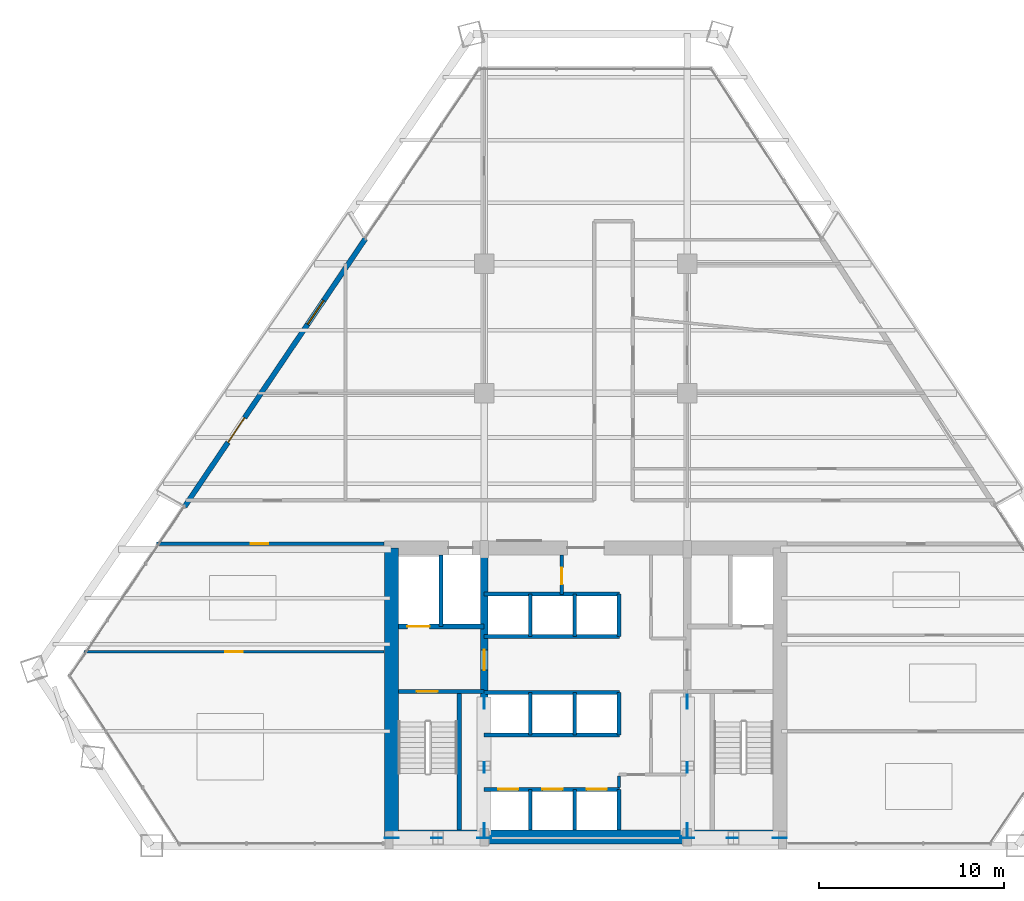
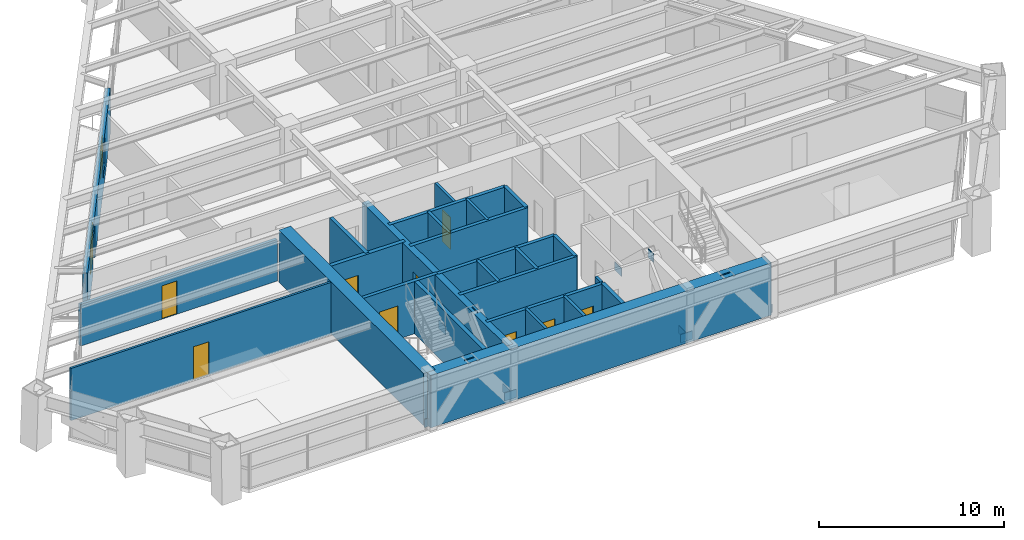
# One storey, part 10 of 14: 26 walls, 12 plates, 10 doors, 1 window, 11 openings.
"""IFC4 building model written with IfcOpenShell, lengths in metres."""

from ifc_helpers import new_model, si_unit, direction, frame, frame_2d, origin, origin_2d, place, context, subcontext, project, spatial, rectangle, extrude, source, transform, mapped, material, layer, layer_set, type_object, type_shapes, element, fill, save


model = new_model("IFC4")

# Units and contexts
model_context = context("Model", 3, precision=1e-05, world=origin(), true_north=direction((0.0, 1.0)))
body_context = subcontext(model_context, "Body", "Model", "MODEL_VIEW")
ifc_project = project(units=[si_unit("LENGTHUNIT", "METRE"), si_unit("AREAUNIT", "SQUARE_METRE"), si_unit("VOLUMEUNIT", "CUBIC_METRE"), si_unit("PLANEANGLEUNIT", "RADIAN"), si_unit("MASSUNIT", "GRAM", prefix="KILO")], contexts=[model_context])

# Site, building, storey
site_placement = place(None, origin())
site = spatial("IfcSite", under=ifc_project, at=site_placement, CompositionType="ELEMENT")
building_placement = place(site_placement, origin())
building = spatial("IfcBuilding", under=site, at=building_placement, Name="Varnakhor Terracotta Tower", CompositionType="ELEMENT")
storey_placement = place(building_placement, frame((0.0, 0.0, 87.699951171875)))
storey = spatial("IfcBuildingStorey", under=building, at=storey_placement, Name="L21", CompositionType="ELEMENT", Elevation=87.699951171875)

# Plates
ifc_material_1 = material(Name="Steel S460", Category="steel")
ifc_layer_1 = layer(ifc_material_1, 0.050048828125, Name="Steel S460")
ifc_layer_set_1 = layer_set([ifc_layer_1], Name="Steel S460")
plate_type = type_object("IfcPlateType", Name="PLT-GUSSET-50", PredefinedType="USERDEFINED", material=ifc_layer_set_1)
shared_shape_1 = source(origin(), body_context, "Body", "SweptSolid", [
    extrude(rectangle(XDim=0.75, YDim=0.0400390625, at=origin_2d()), origin(), (0.0, 0.0, 1.0), 0.550048828125),
])
type_shapes(plate_type, [shared_shape_1])
for number, where, z_axis, x_axis, name in (
    (1, (-10.5, 0.419921875, -0.09521484375), (0.0, 0.0, 1.0), (1.0, 0.0, 0.0), "L21 Core Brace Embed Plate CSWA"),
    (2, (-5.5, 0.419921875, -0.09521484375), (0.0, 0.0, 1.0), (1.0, 0.0, 0.0), "L21 Core Brace Embed Plate CSWB"),
    (3, (5.5, 0.419921875, -0.09521484375), (0.0, 0.0, 1.0), (1.0, 0.0, 0.0), "L21 Core Brace Embed Plate CSEA"),
    (4, (10.5, 0.419921875, -0.09521484375), (0.0, 0.0, 1.0), (1.0, 0.0, 0.0), "L21 Core Brace Embed Plate CSEB"),
    (5, (-5.5, 0.85009765625, -0.09521484375), (0.0, 0.0, 1.0), (0.0, 1.0, 0.0), "L21 Core Brace Embed Plate CWWA"),
    (6, (-5.5, 7.800048828125, -0.09521484375), (0.0, 0.0, 1.0), (0.0, 1.0, 0.0), "L21 Core Brace Embed Plate CWWB"),
    (7, (5.5, 0.85009765625, -0.09521484375), (0.0, 0.0, 1.0), (0.0, 1.0, 0.0), "L21 Core Brace Embed Plate CWEA"),
    (8, (5.5, 7.800048828125, -0.09521484375), (0.0, 0.0, 1.0), (0.0, 1.0, 0.0), "L21 Core Brace Embed Plate CWEB"),
):
    element("IfcPlate", number, at=place(storey_placement, frame(where, z_axis=z_axis, x_axis=x_axis)), inside=storey, type_object=plate_type, Name=name, ObjectType="GUSSET PLATE", PredefinedType="USERDEFINED", context=body_context, shape_type="MappedRepresentation", body=[
        mapped(shared_shape_1, transform((0.0, 0.0, 0.0), scale=1.0)),
    ])
shared_shape_2 = source(origin(), body_context, "Body", "SweptSolid", [
    extrude(rectangle(XDim=0.580078125, YDim=0.0400390625, at=origin_2d()), origin(), (0.0, 0.0, 1.0), 0.580078125),
])
for number, where, z_axis, x_axis, name in (
    (9, (-8.072509765625, 0.419921875, 2.914306640625), (0.0, 0.0, 1.0), (1.0, 0.0, 0.0), "L21 Brace End Connection Plate 92"),
    (10, (7.927490234375, 0.419921875, 2.914306640625), (0.0, 0.0, 1.0), (1.0, 0.0, 0.0), "L21 Brace End Connection Plate 93"),
    (11, (-5.5, 4.238037109375, 2.927490234375), (0.0, 0.0, 1.0), (0.0, 1.0, 0.0), "L21 Brace End Connection Plate 94"),
    (12, (5.5, 4.238037109375, 2.927490234375), (0.0, 0.0, 1.0), (0.0, 1.0, 0.0), "L21 Brace End Connection Plate 95"),
):
    element("IfcPlate", number, at=place(storey_placement, frame(where, z_axis=z_axis, x_axis=x_axis)), inside=storey, type_object=plate_type, Name=name, ObjectType="GUSSET PLATE", PredefinedType="USERDEFINED", context=body_context, shape_type="MappedRepresentation", body=[
        mapped(shared_shape_2, transform((0.0, 0.0, 0.0), scale=1.0)),
    ])

# Walls
ifc_material_2 = material(Name="Concrete C60/75", Category="concrete")
ifc_layer_2 = layer(ifc_material_2, 0.75, Name="Concrete C60/75")
ifc_layer_set_2 = layer_set([ifc_layer_2], Name="Concrete C60/75")
wall_type_1 = type_object("IfcWallType", Name="WAL-CORE-750", PredefinedType="SHEAR", material=ifc_layer_set_2)
wall_1_placement = place(storey_placement, frame((-10.64990234375, 0.47509765625, 0.0), z_axis=(0.0, 0.0, 1.0), x_axis=(1.0, 0.0, 0.0)))
element("IfcWall", 13, at=wall_1_placement, inside=storey, type_object=wall_type_1, Name="L21 South Core Shear Wall", PredefinedType="SHEAR", context=body_context, shape_type="SweptSolid", body=[
    extrude(rectangle(XDim=21.2998046875, YDim=0.75, at=frame_2d((10.64990234375, 0.0))), origin(), (0.0, 0.0, 1.0), 3.449951171875),
])
wall_2_placement = place(storey_placement, frame((-10.52490234375, 0.47509765625, 0.0), z_axis=(0.0, 0.0, 1.0), x_axis=(0.0, 1.0, 0.0)))
element("IfcWall", 14, at=wall_2_placement, inside=storey, type_object=wall_type_1, Name="L21 West Core Shear Wall", PredefinedType="SHEAR", context=body_context, shape_type="SweptSolid", body=[
    extrude(rectangle(XDim=15.64990234375, YDim=0.75, at=frame_2d((7.824951171875, 0.0))), origin(), (0.0, 0.0, 1.0), 3.449951171875),
])

# Wall, opening, door
ifc_material_3 = material(Name="Concrete C50/60", Category="concrete")
ifc_layer_3 = layer(ifc_material_3, 0.39990234375, Name="Concrete C50/60")
ifc_layer_set_3 = layer_set([ifc_layer_3], Name="Concrete C50/60")
wall_type_2 = type_object("IfcWallType", Name="WAL-CORE-WEB-400", PredefinedType="SHEAR", material=ifc_layer_set_3)
wall_3_placement = place(storey_placement, frame((-5.5, 0.47509765625, 0.0), z_axis=(0.0, 0.0, 1.0), x_axis=(0.0, 1.0, 0.0)))
wall_3 = element("IfcWall", 15, at=wall_3_placement, inside=storey, type_object=wall_type_2, Name="L21 West Core Web Shear Wall", PredefinedType="SHEAR", context=body_context, shape_type="SweptSolid", body=[
    extrude(rectangle(XDim=15.64990234375, YDim=0.39990234375, at=frame_2d((7.824951171875, 0.0))), origin(), (0.0, 0.0, 1.0), 3.449951171875),
])
opening_1_placement = place(wall_3_placement, frame((9.02490234375, 0.0, 0.0)))
opening_1 = element("IfcOpeningElement", 16, at=opening_1_placement, cuts=wall_3, Name="Opening DR-25", PredefinedType="OPENING", context=body_context, shape_type="SweptSolid", body=[
    extrude(rectangle(XDim=1.10009765625, YDim=2.199951171875, at=frame_2d((0.550048828125, 1.10009765625))), frame((0.0, 0.2099609375, 0.0), z_axis=(0.0, -1.0, 0.0), x_axis=(1.0, 0.0, 0.0)), (0.0, 0.0, 1.0), 0.419921875),
])
ifc_material_4 = material(Name="Firefighting Lobby Self-Closing Fire Door", Category="steel")
door_type_1 = type_object("IfcDoorType", Name="DR-FFL-1100X2200", OperationType="NOTDEFINED", PredefinedType="DOOR", material=ifc_material_4)
shared_shape_3 = source(origin(), body_context, "Body", "SweptSolid", [
    extrude(rectangle(XDim=1.10009765625, YDim=2.199951171875, at=frame_2d((0.550048828125, 1.10009765625))), frame((0.0, 0.02490234375, 0.0), z_axis=(0.0, -1.0, 0.0), x_axis=(1.0, 0.0, 0.0)), (0.0, 0.0, 1.0), 0.050048828125),
])
type_shapes(door_type_1, [shared_shape_3])
door_1_placement = place(opening_1_placement, origin())
door_1 = element("IfcDoor", 17, at=door_1_placement, inside=storey, type_object=door_type_1, Name="L21 West Firefighting Lobby Door", OperationType="SINGLE_SWING_LEFT", OverallHeight=2.199951171875, OverallWidth=1.10009765625, PredefinedType="DOOR", context=body_context, shape_type="MappedRepresentation", body=[
    mapped(shared_shape_3, transform((0.0, 0.0, 0.0), scale=1.0)),
])
fill(opening_1, door_1)

ifc_material_5 = material(Name="Fire-Rated Gypsum Stud Partition", Category="gypsum")
ifc_layer_4 = layer(ifc_material_5, 0.18505859375, Name="Fire-Rated Gypsum Stud Partition")
ifc_layer_set_4 = layer_set([ifc_layer_4], Name="Fire-Rated Gypsum Stud Partition")
wall_type_3 = type_object("IfcWallType", Name="WAL-CORR-185", PredefinedType="PARTITIONING", material=ifc_layer_set_4)
wall_4_placement = place(storey_placement, frame((-23.2294921875, 16.35009765625, 0.0), z_axis=(0.0, 0.0, 1.0), x_axis=(1.0, 0.0, 0.0)))
wall_4 = element("IfcWall", 18, at=wall_4_placement, inside=storey, type_object=wall_type_3, Name="L21 South West Corridor Wall", PredefinedType="PARTITIONING", context=body_context, shape_type="SweptSolid", body=[
    extrude(rectangle(XDim=12.3095703125, YDim=0.18505859375, at=frame_2d((6.15478515625, 0.0))), origin(), (0.0, 0.0, 1.0), 2.7470703125),
])
opening_2_placement = place(wall_4_placement, frame((5.09814453125, 0.0, 0.0)))
opening_2 = element("IfcOpeningElement", 19, at=opening_2_placement, cuts=wall_4, Name="Opening DR-94", PredefinedType="OPENING", context=body_context, shape_type="SweptSolid", body=[
    extrude(rectangle(XDim=0.949951171875, YDim=2.199951171875, at=frame_2d((0.47509765625, 1.10009765625))), frame((0.0, 0.1025390625, 0.0), z_axis=(0.0, -1.0, 0.0), x_axis=(1.0, 0.0, 0.0)), (0.0, 0.0, 1.0), 0.205078125),
])
ifc_material_6 = material(Name="Acoustic Glazed-Vision Timber Office Door", Category="wood")
door_type_2 = type_object("IfcDoorType", Name="DR-OFF-950X2200", OperationType="NOTDEFINED", PredefinedType="DOOR", material=ifc_material_6)
shared_shape_4 = source(origin(), body_context, "Body", "SweptSolid", [
    extrude(rectangle(XDim=0.949951171875, YDim=2.199951171875, at=frame_2d((0.47509765625, 1.10009765625))), frame((0.0, 0.02490234375, 0.0), z_axis=(0.0, -1.0, 0.0), x_axis=(1.0, 0.0, 0.0)), (0.0, 0.0, 1.0), 0.050048828125),
])
type_shapes(door_type_2, [shared_shape_4])
door_2_placement = place(opening_2_placement, origin())
door_2 = element("IfcDoor", 20, at=door_2_placement, inside=storey, type_object=door_type_2, Name="L21 SW Suite Door", OperationType="SINGLE_SWING_RIGHT", OverallHeight=2.199951171875, OverallWidth=0.949951171875, PredefinedType="DOOR", context=body_context, shape_type="MappedRepresentation", body=[
    mapped(shared_shape_4, transform((0.0, 0.0, 0.0), scale=1.0)),
])
fill(opening_2, door_2)

# Wall, openings, door, window
ifc_material_7 = material(Name="Extruded Architectural Terracotta Assembly", Category="masonry")
ifc_layer_5 = layer(ifc_material_7, 0.280029296875, Name="Extruded Architectural Terracotta Assembly")
ifc_layer_set_5 = layer_set([ifc_layer_5], Name="Extruded Architectural Terracotta Assembly")
wall_type_4 = type_object("IfcWallType", Name="WAL-EXT-TERRACOTTA-280", PredefinedType="SOLIDWALL", material=ifc_layer_set_5)
wall_5_placement = place(storey_placement, frame((-21.716796875, 18.359130859375, 0.0), z_axis=(0.0, 0.0, 1.0), x_axis=(0.559343000378, 0.828936311141, 0.0)))
wall_5 = element("IfcWall", 21, at=wall_5_placement, inside=storey, type_object=wall_type_4, Name="L21 W Loggia Insulated Terracotta Wall", PredefinedType="SOLIDWALL", context=body_context, shape_type="SweptSolid", body=[
    extrude(rectangle(XDim=17.502197265625, YDim=0.280029296875, at=frame_2d((8.7509765625, 0.0))), origin(), (0.0, 0.0, 1.0), 3.030029296875),
])
opening_3_placement = place(wall_5_placement, frame((4.20068359375, 0.0, 0.0)))
opening_3 = element("IfcOpeningElement", 22, at=opening_3_placement, cuts=wall_5, Name="Opening DR-62", PredefinedType="OPENING", context=body_context, shape_type="SweptSolid", body=[
    extrude(rectangle(XDim=1.60009765625, YDim=2.35009765625, at=frame_2d((0.800048828125, 1.175048828125))), frame((0.0, 0.14990234375, 0.0), z_axis=(0.0, -1.0, 0.0), x_axis=(1.0, 0.0, 0.0)), (0.0, 0.0, 1.0), 0.300048828125),
])
opening_4_placement = place(wall_5_placement, frame((11.901611328125, 0.0, 0.89990234375)))
opening_4 = element("IfcOpeningElement", 23, at=opening_4_placement, cuts=wall_5, Name="Opening WN-57", PredefinedType="OPENING", context=body_context, shape_type="SweptSolid", body=[
    extrude(rectangle(XDim=1.550048828125, YDim=1.85009765625, at=frame_2d((0.77490234375, 0.925048828125))), frame((0.0, 0.14990234375, 0.0), z_axis=(0.0, -1.0, 0.0), x_axis=(1.0, 0.0, 0.0)), (0.0, 0.0, 1.0), 0.300048828125),
])
ifc_material_8 = material(Name="Thermally Broken Sliding Glass Loggia Door", Category="glass")
door_type_3 = type_object("IfcDoorType", Name="DR-EXT-LOGGIA-1600X2350", OperationType="NOTDEFINED", PredefinedType="DOOR", material=ifc_material_8)
shared_shape_5 = source(origin(), body_context, "Body", "SweptSolid", [
    extrude(rectangle(XDim=1.60009765625, YDim=2.35009765625, at=frame_2d((0.800048828125, 1.175048828125))), frame((0.0, 0.02490234375, 0.0), z_axis=(0.0, -1.0, 0.0), x_axis=(1.0, 0.0, 0.0)), (0.0, 0.0, 1.0), 0.050048828125),
])
type_shapes(door_type_3, [shared_shape_5])
door_3_placement = place(opening_3_placement, origin())
door_3 = element("IfcDoor", 24, at=door_3_placement, inside=storey, type_object=door_type_3, Name="L21 W Recessed Loggia Sliding Door", OperationType="SLIDING_TO_LEFT", OverallHeight=2.35009765625, OverallWidth=1.60009765625, PredefinedType="DOOR", context=body_context, shape_type="MappedRepresentation", body=[
    mapped(shared_shape_5, transform((0.0, 0.0, 0.0), scale=1.0)),
])
fill(opening_3, door_3)
ifc_material_9 = material(Name="Solar-Control Low-E Insulated Glass Unit", Category="glass")
window_type = type_object("IfcWindowType", Name="WIN-OFF-1650X2100", PartitioningType="SINGLE_PANEL", PredefinedType="WINDOW", material=ifc_material_9)
shared_shape_6 = source(origin(), body_context, "Body", "SweptSolid", [
    extrude(rectangle(XDim=1.550048828125, YDim=1.85009765625, at=frame_2d((0.77490234375, 0.925048828125))), frame((0.0, 0.030029296875, 0.0), z_axis=(0.0, -1.0, 0.0), x_axis=(1.0, 0.0, 0.0)), (0.0, 0.0, 1.0), 0.06005859375),
])
type_shapes(window_type, [shared_shape_6])
window_placement = place(opening_4_placement, origin())
window = element("IfcWindow", 25, at=window_placement, inside=storey, type_object=window_type, Name="L21 W Facet Punched Window", OverallHeight=1.85009765625, OverallWidth=1.550048828125, PartitioningType="SINGLE_PANEL", PredefinedType="WINDOW", context=body_context, shape_type="MappedRepresentation", body=[
    mapped(shared_shape_6, transform((0.0, 0.0, 0.0), scale=1.0)),
])
fill(opening_4, window)

# Wall, opening, door
ifc_material_10 = material(Name="Concrete C40/50", Category="concrete")
ifc_layer_6 = layer(ifc_material_10, 0.219970703125, Name="Concrete C40/50")
ifc_layer_set_6 = layer_set([ifc_layer_6], Name="Concrete C40/50")
wall_type_5 = type_object("IfcWallType", Name="WAL-FFLOBBY-220", PredefinedType="SOLIDWALL", material=ifc_layer_set_6)
wall_6_placement = place(storey_placement, frame((-5.5, 8.35009765625, 0.0), z_axis=(0.0, 0.0, 1.0), x_axis=(-1.0, 0.0, 0.0)))
wall_6 = element("IfcWall", 26, at=wall_6_placement, inside=storey, type_object=wall_type_5, Name="L21 West Firefighting Lobby Stair Wall", PredefinedType="SOLIDWALL", context=body_context, shape_type="SweptSolid", body=[
    extrude(rectangle(XDim=4.64990234375, YDim=0.219970703125, at=frame_2d((2.324951171875, 0.0))), origin(), (0.0, 0.0, 1.0), 3.449951171875),
])
opening_5_placement = place(wall_6_placement, frame((2.5, 0.0, 0.0)))
opening_5 = element("IfcOpeningElement", 27, at=opening_5_placement, cuts=wall_6, Name="Opening DR-34", PredefinedType="OPENING", context=body_context, shape_type="SweptSolid", body=[
    extrude(rectangle(XDim=1.14990234375, YDim=2.199951171875, at=frame_2d((0.574951171875, 1.10009765625))), frame((0.0, 0.1201171875, 0.0), z_axis=(0.0, -1.0, 0.0), x_axis=(1.0, 0.0, 0.0)), (0.0, 0.0, 1.0), 0.239990234375),
])
ifc_material_11 = material(Name="Self-Closing Smoke-Sealed Steel Fire Door", Category="steel")
door_type_4 = type_object("IfcDoorType", Name="DR-STAIR-1150X2200", OperationType="NOTDEFINED", PredefinedType="DOOR", material=ifc_material_11)
shared_shape_7 = source(origin(), body_context, "Body", "SweptSolid", [
    extrude(rectangle(XDim=1.14990234375, YDim=2.199951171875, at=frame_2d((0.574951171875, 1.10009765625))), frame((0.0, 0.02490234375, 0.0), z_axis=(0.0, -1.0, 0.0), x_axis=(1.0, 0.0, 0.0)), (0.0, 0.0, 1.0), 0.050048828125),
])
type_shapes(door_type_4, [shared_shape_7])
door_4_placement = place(opening_5_placement, origin())
door_4 = element("IfcDoor", 28, at=door_4_placement, inside=storey, type_object=door_type_4, Name="L21 Exit Stair ST-1 Fire Door", OperationType="SINGLE_SWING_RIGHT", OverallHeight=2.199951171875, OverallWidth=1.14990234375, PredefinedType="DOOR", context=body_context, shape_type="MappedRepresentation", body=[
    mapped(shared_shape_7, transform((0.0, 0.0, 0.0), scale=1.0)),
])
fill(opening_5, door_4)

ifc_material_12 = material(Name="Acoustic Metal-Stud Partition", Category="gypsum")
ifc_layer_7 = layer(ifc_material_12, 0.139892578125, Name="Acoustic Metal-Stud Partition")
ifc_layer_set_7 = layer_set([ifc_layer_7], Name="Acoustic Metal-Stud Partition")
wall_type_6 = type_object("IfcWallType", Name="WAL-PART-140", PredefinedType="PARTITIONING", material=ifc_layer_set_7)
wall_7_placement = place(storey_placement, frame((-27.1767578125, 10.5, 0.0), z_axis=(0.0, 0.0, 1.0), x_axis=(1.0, 0.0, 0.0)))
wall_7 = element("IfcWall", 29, at=wall_7_placement, inside=storey, type_object=wall_type_6, Name="L21 South West Cut 1", PredefinedType="PARTITIONING", context=body_context, shape_type="SweptSolid", body=[
    extrude(rectangle(XDim=16.2568359375, YDim=0.139892578125, at=frame_2d((8.12841796875, 0.0))), origin(), (0.0, 0.0, 1.0), 3.442138671875),
])
opening_6_placement = place(wall_7_placement, frame((7.66552734375, 0.0, 0.0)))
opening_6 = element("IfcOpeningElement", 30, at=opening_6_placement, cuts=wall_7, Name="Opening DR-94", PredefinedType="OPENING", context=body_context, shape_type="SweptSolid", body=[
    extrude(rectangle(XDim=0.949951171875, YDim=2.199951171875, at=frame_2d((0.47509765625, 1.10009765625))), frame((0.0, 0.080078125, 0.0), z_axis=(0.0, -1.0, 0.0), x_axis=(1.0, 0.0, 0.0)), (0.0, 0.0, 1.0), 0.159912109375),
])
door_5_placement = place(opening_6_placement, origin())
door_5 = element("IfcDoor", 31, at=door_5_placement, inside=storey, type_object=door_type_2, Name="L21 South West Executive Office Door", OperationType="SINGLE_SWING_RIGHT", OverallHeight=2.199951171875, OverallWidth=0.949951171875, PredefinedType="DOOR", context=body_context, shape_type="MappedRepresentation", body=[
    mapped(shared_shape_4, transform((0.0, 0.0, 0.0), scale=1.0)),
])
fill(opening_6, door_5)

# Walls
ifc_layer_8 = layer(ifc_material_10, 0.179931640625, Name="Concrete C40/50")
ifc_layer_set_8 = layer_set([ifc_layer_8], Name="Concrete C40/50")
wall_type_7 = type_object("IfcWallType", Name="WAL-SHAFT-180", PredefinedType="SOLIDWALL", material=ifc_layer_set_8)
for number, where, z_axis, x_axis, name in (
    (32, (-3.0, 0.85009765625, 0.0), (0.0, 0.0, 1.0), (0.0, 1.0, 0.0), "L21 PL-1A Divider"),
    (33, (-0.60009765625, 0.85009765625, 0.0), (0.0, 0.0, 1.0), (0.0, 1.0, 0.0), "L21 PL-1B Divider"),
):
    element("IfcWall", number, at=place(storey_placement, frame(where, z_axis=z_axis, x_axis=x_axis)), inside=storey, type_object=wall_type_7, Name=name, PredefinedType="SOLIDWALL", context=body_context, shape_type="SweptSolid", body=[
        extrude(rectangle(XDim=2.199951171875, YDim=0.179931640625, at=frame_2d((1.10009765625, 0.0))), origin(), (0.0, 0.0, 1.0), 3.449951171875),
    ])
for number, where, z_axis, x_axis, name in (
    (34, (-3.0, 6.0, 0.0), (0.0, 0.0, 1.0), (0.0, 1.0, 0.0), "L21 PL-2A Divider"),
    (35, (-0.60009765625, 6.0, 0.0), (0.0, 0.0, 1.0), (0.0, 1.0, 0.0), "L21 PL-2B Divider"),
    (36, (-3.0, 11.320068359375, 0.0), (0.0, 0.0, 1.0), (0.0, 1.0, 0.0), "L21 PL-3A Divider"),
    (37, (-0.60009765625, 11.320068359375, 0.0), (0.0, 0.0, 1.0), (0.0, 1.0, 0.0), "L21 PL-3B Divider"),
):
    element("IfcWall", number, at=place(storey_placement, frame(where, z_axis=z_axis, x_axis=x_axis)), inside=storey, type_object=wall_type_7, Name=name, PredefinedType="SOLIDWALL", context=body_context, shape_type="SweptSolid", body=[
        extrude(rectangle(XDim=2.300048828125, YDim=0.179931640625, at=frame_2d((1.14990234375, 0.0))), origin(), (0.0, 0.0, 1.0), 3.449951171875),
    ])
ifc_layer_9 = layer(ifc_material_10, 0.219970703125, Name="Concrete C40/50")
ifc_layer_set_9 = layer_set([ifc_layer_9], Name="Concrete C40/50")
wall_type_8 = type_object("IfcWallType", Name="WAL-SHAFT-220", PredefinedType="SOLIDWALL", material=ifc_layer_set_9)
wall_8_placement = place(storey_placement, frame((-7.840087890625, 11.8701171875, 0.0), z_axis=(0.0, 0.0, 1.0), x_axis=(0.0, 1.0, 0.0)))
element("IfcWall", 38, at=wall_8_placement, inside=storey, type_object=wall_type_8, Name="L21 Lift FFL-1 and SVL-1 Divider Wall", PredefinedType="SOLIDWALL", context=body_context, shape_type="SweptSolid", body=[
    extrude(rectangle(XDim=3.8798828125, YDim=0.219970703125, at=frame_2d((1.93994140625, 0.0))), origin(), (0.0, 0.0, 1.0), 3.449951171875),
])

# Wall, openings, doors
wall_9_placement = place(storey_placement, frame((-5.5, 3.050048828125, 0.0), z_axis=(0.0, 0.0, 1.0), x_axis=(1.0, 0.0, 0.0)))
wall_9 = element("IfcWall", 39, at=wall_9_placement, inside=storey, type_object=wall_type_8, Name="L21 Bank 1 Lift Shaft Wall", PredefinedType="SOLIDWALL", context=body_context, shape_type="SweptSolid", body=[
    extrude(rectangle(XDim=7.320068359375, YDim=0.219970703125, at=frame_2d((3.66015625, 0.0))), origin(), (0.0, 0.0, 1.0), 3.449951171875),
])
opening_7_placement = place(wall_9_placement, frame((0.75, 0.0, 0.0)))
opening_7 = element("IfcOpeningElement", 40, at=opening_7_placement, cuts=wall_9, Name="Opening LD-01", PredefinedType="OPENING", context=body_context, shape_type="SweptSolid", body=[
    extrude(rectangle(XDim=1.10009765625, YDim=2.199951171875, at=frame_2d((0.550048828125, 1.10009765625))), frame((0.0, 0.1201171875, 0.0), z_axis=(0.0, -1.0, 0.0), x_axis=(1.0, 0.0, 0.0)), (0.0, 0.0, 1.0), 0.239990234375),
])
opening_8_placement = place(wall_9_placement, frame((3.14990234375, 0.0, 0.0)))
opening_8 = element("IfcOpeningElement", 41, at=opening_8_placement, cuts=wall_9, Name="Opening LD-01", PredefinedType="OPENING", context=body_context, shape_type="SweptSolid", body=[
    extrude(rectangle(XDim=1.10009765625, YDim=2.199951171875, at=frame_2d((0.550048828125, 1.10009765625))), frame((0.0, 0.1201171875, 0.0), z_axis=(0.0, -1.0, 0.0), x_axis=(1.0, 0.0, 0.0)), (0.0, 0.0, 1.0), 0.239990234375),
])
opening_9_placement = place(wall_9_placement, frame((5.550048828125, 0.0, 0.0)))
opening_9 = element("IfcOpeningElement", 42, at=opening_9_placement, cuts=wall_9, Name="Opening LD-01", PredefinedType="OPENING", context=body_context, shape_type="SweptSolid", body=[
    extrude(rectangle(XDim=1.10009765625, YDim=2.199951171875, at=frame_2d((0.550048828125, 1.10009765625))), frame((0.0, 0.1201171875, 0.0), z_axis=(0.0, -1.0, 0.0), x_axis=(1.0, 0.0, 0.0)), (0.0, 0.0, 1.0), 0.239990234375),
])
ifc_material_13 = material(Name="Brushed Stainless Steel Sliding Lift Landing Door", Category="steel")
door_type_5 = type_object("IfcDoorType", Name="LD-PASS-1100X2200", OperationType="NOTDEFINED", PredefinedType="DOOR", material=ifc_material_13)
shared_shape_8 = source(origin(), body_context, "Body", "SweptSolid", [
    extrude(rectangle(XDim=1.10009765625, YDim=2.199951171875, at=frame_2d((0.550048828125, 1.10009765625))), frame((0.0, 0.02490234375, 0.0), z_axis=(0.0, -1.0, 0.0), x_axis=(1.0, 0.0, 0.0)), (0.0, 0.0, 1.0), 0.050048828125),
])
type_shapes(door_type_5, [shared_shape_8])
door_6_placement = place(opening_7_placement, origin())
door_6 = element("IfcDoor", 43, at=door_6_placement, inside=storey, type_object=door_type_5, Name="L21 Passenger Lift PL-1A Landing Door", OperationType="SLIDING_TO_RIGHT", OverallHeight=2.199951171875, OverallWidth=1.10009765625, PredefinedType="DOOR", context=body_context, shape_type="MappedRepresentation", body=[
    mapped(shared_shape_8, transform((0.0, 0.0, 0.0), scale=1.0)),
])
fill(opening_7, door_6)
door_7_placement = place(opening_8_placement, origin())
door_7 = element("IfcDoor", 44, at=door_7_placement, inside=storey, type_object=door_type_5, Name="L21 Passenger Lift PL-1B Landing Door", OperationType="SLIDING_TO_RIGHT", OverallHeight=2.199951171875, OverallWidth=1.10009765625, PredefinedType="DOOR", context=body_context, shape_type="MappedRepresentation", body=[
    mapped(shared_shape_8, transform((0.0, 0.0, 0.0), scale=1.0)),
])
fill(opening_8, door_7)
door_8_placement = place(opening_9_placement, origin())
door_8 = element("IfcDoor", 45, at=door_8_placement, inside=storey, type_object=door_type_5, Name="L21 Passenger Lift PL-1C Landing Door", OperationType="SLIDING_TO_RIGHT", OverallHeight=2.199951171875, OverallWidth=1.10009765625, PredefinedType="DOOR", context=body_context, shape_type="MappedRepresentation", body=[
    mapped(shared_shape_8, transform((0.0, 0.0, 0.0), scale=1.0)),
])
fill(opening_9, door_8)

# Walls
wall_10_placement = place(storey_placement, frame((1.800048828125, 0.85009765625, 0.0), z_axis=(0.0, 0.0, 1.0), x_axis=(0.0, 1.0, 0.0)))
element("IfcWall", 46, at=wall_10_placement, inside=storey, type_object=wall_type_8, Name="L21 Bank 1 East Shaft Wall", PredefinedType="SOLIDWALL", context=body_context, shape_type="SweptSolid", body=[
    extrude(rectangle(XDim=2.199951171875, YDim=0.219970703125, at=frame_2d((1.10009765625, 0.0))), origin(), (0.0, 0.0, 1.0), 3.449951171875),
])
for number, where, z_axis, x_axis, name in (
    (47, (-5.5, 6.0, 0.0), (0.0, 0.0, 1.0), (1.0, 0.0, 0.0), "L21 Bank 2 South Shaft Wall"),
    (48, (-5.5, 8.300048828125, 0.0), (0.0, 0.0, 1.0), (1.0, 0.0, 0.0), "L21 Bank 2 North Shaft Wall"),
):
    element("IfcWall", number, at=place(storey_placement, frame(where, z_axis=z_axis, x_axis=x_axis)), inside=storey, type_object=wall_type_8, Name=name, PredefinedType="SOLIDWALL", context=body_context, shape_type="SweptSolid", body=[
        extrude(rectangle(XDim=7.320068359375, YDim=0.219970703125, at=frame_2d((3.66015625, 0.0))), origin(), (0.0, 0.0, 1.0), 3.449951171875),
    ])
wall_11_placement = place(storey_placement, frame((1.800048828125, 6.0, 0.0), z_axis=(0.0, 0.0, 1.0), x_axis=(0.0, 1.0, 0.0)))
element("IfcWall", 49, at=wall_11_placement, inside=storey, type_object=wall_type_8, Name="L21 Bank 2 East Shaft Wall", PredefinedType="SOLIDWALL", context=body_context, shape_type="SweptSolid", body=[
    extrude(rectangle(XDim=2.300048828125, YDim=0.219970703125, at=frame_2d((1.14990234375, 0.0))), origin(), (0.0, 0.0, 1.0), 3.449951171875),
])
for number, where, z_axis, x_axis, name in (
    (50, (-5.5, 11.320068359375, 0.0), (0.0, 0.0, 1.0), (1.0, 0.0, 0.0), "L21 Bank 3 South Shaft Wall"),
    (51, (-5.5, 13.6201171875, 0.0), (0.0, 0.0, 1.0), (1.0, 0.0, 0.0), "L21 Bank 3 North Shaft Wall"),
):
    element("IfcWall", number, at=place(storey_placement, frame(where, z_axis=z_axis, x_axis=x_axis)), inside=storey, type_object=wall_type_8, Name=name, PredefinedType="SOLIDWALL", context=body_context, shape_type="SweptSolid", body=[
        extrude(rectangle(XDim=7.320068359375, YDim=0.219970703125, at=frame_2d((3.66015625, 0.0))), origin(), (0.0, 0.0, 1.0), 3.449951171875),
    ])
wall_12_placement = place(storey_placement, frame((1.800048828125, 11.320068359375, 0.0), z_axis=(0.0, 0.0, 1.0), x_axis=(0.0, 1.0, 0.0)))
element("IfcWall", 52, at=wall_12_placement, inside=storey, type_object=wall_type_8, Name="L21 Bank 3 East Shaft Wall", PredefinedType="SOLIDWALL", context=body_context, shape_type="SweptSolid", body=[
    extrude(rectangle(XDim=2.300048828125, YDim=0.219970703125, at=frame_2d((1.14990234375, 0.0))), origin(), (0.0, 0.0, 1.0), 3.449951171875),
])
ifc_layer_10 = layer(ifc_material_10, 0.25, Name="Concrete C40/50")
ifc_layer_set_10 = layer_set([ifc_layer_10], Name="Concrete C40/50")
wall_type_9 = type_object("IfcWallType", Name="WAL-SHAFT-250", PredefinedType="SOLIDWALL", material=ifc_layer_set_10)
wall_13_placement = place(storey_placement, frame((-6.85009765625, 0.85009765625, 0.0), z_axis=(0.0, 0.0, 1.0), x_axis=(0.0, 1.0, 0.0)))
element("IfcWall", 53, at=wall_13_placement, inside=storey, type_object=wall_type_9, Name="L21 Stair ST-1 Bearing Shaft Wall", PredefinedType="SOLIDWALL", context=body_context, shape_type="SweptSolid", body=[
    extrude(rectangle(XDim=7.5, YDim=0.25, at=frame_2d((3.75, 0.0))), origin(), (0.0, 0.0, 1.0), 3.449951171875),
])

# Wall, opening, door
wall_14_placement = place(storey_placement, frame((-5.5, 11.8701171875, 0.0), z_axis=(0.0, 0.0, 1.0), x_axis=(-1.0, 0.0, 0.0)))
wall_14 = element("IfcWall", 54, at=wall_14_placement, inside=storey, type_object=wall_type_9, Name="L21 Lift FFL-1 Shaft Front Wall", PredefinedType="SOLIDWALL", context=body_context, shape_type="SweptSolid", body=[
    extrude(rectangle(XDim=4.64990234375, YDim=0.25, at=frame_2d((2.324951171875, 0.0))), origin(), (0.0, 0.0, 1.0), 3.449951171875),
])
opening_10_placement = place(wall_14_placement, frame((2.949951171875, 0.0, 0.0)))
opening_10 = element("IfcOpeningElement", 55, at=opening_10_placement, cuts=wall_14, Name="Opening LD-02", PredefinedType="OPENING", context=body_context, shape_type="SweptSolid", body=[
    extrude(rectangle(XDim=1.199951171875, YDim=2.25, at=frame_2d((0.60009765625, 1.125))), frame((0.0, 0.135009765625, 0.0), z_axis=(0.0, -1.0, 0.0), x_axis=(1.0, 0.0, 0.0)), (0.0, 0.0, 1.0), 0.27001953125),
])
ifc_material_14 = material(Name="Firefighting Stretcher Sliding Lift Landing Door", Category="steel")
door_type_6 = type_object("IfcDoorType", Name="LD-FFL-1200X2250", OperationType="NOTDEFINED", PredefinedType="DOOR", material=ifc_material_14)
shared_shape_9 = source(origin(), body_context, "Body", "SweptSolid", [
    extrude(rectangle(XDim=1.199951171875, YDim=2.25, at=frame_2d((0.60009765625, 1.125))), frame((0.0, 0.02490234375, 0.0), z_axis=(0.0, -1.0, 0.0), x_axis=(1.0, 0.0, 0.0)), (0.0, 0.0, 1.0), 0.050048828125),
])
type_shapes(door_type_6, [shared_shape_9])
door_9_placement = place(opening_10_placement, origin())
door_9 = element("IfcDoor", 56, at=door_9_placement, inside=storey, type_object=door_type_6, Name="L21 Firefighting Lift FFL-1 Landing Door", OperationType="SLIDING_TO_LEFT", OverallHeight=2.25, OverallWidth=1.199951171875, PredefinedType="DOOR", context=body_context, shape_type="MappedRepresentation", body=[
    mapped(shared_shape_9, transform((0.0, 0.0, 0.0), scale=1.0)),
])
fill(opening_10, door_9)

# Wall
ifc_material_15 = material(Name="Acoustic Fire-Rated Partition", Category="gypsum")
ifc_layer_11 = layer(ifc_material_15, 0.1650390625, Name="Acoustic Fire-Rated Partition")
ifc_layer_set_11 = layer_set([ifc_layer_11], Name="Acoustic Fire-Rated Partition")
wall_type_10 = type_object("IfcWallType", Name="WAL-TENANCY-165", PredefinedType="PARTITIONING", material=ifc_layer_set_11)
wall_15_placement = place(storey_placement, frame((1.800048828125, 3.159912109375, 0.0), z_axis=(0.0, 0.0, 1.0), x_axis=(0.0, 1.0, 0.0)))
element("IfcWall", 57, at=wall_15_placement, inside=storey, type_object=wall_type_10, Name="L21 Core South West Return Wall", PredefinedType="PARTITIONING", context=body_context, shape_type="SweptSolid", body=[
    extrude(rectangle(XDim=0.607666015625, YDim=0.1650390625, at=frame_2d((0.3037109375, 0.0))), origin(), (0.0, 0.0, 1.0), 3.442138671875),
])

# Wall, opening, door
wall_16_placement = place(storey_placement, frame((-1.300048828125, 13.60009765625, 0.0), z_axis=(0.0, 0.0, 1.0), x_axis=(0.0, 1.0, 0.0)))
wall_16 = element("IfcWall", 58, at=wall_16_placement, inside=storey, type_object=wall_type_10, Name="L21 Male Restroom Wall", PredefinedType="PARTITIONING", context=body_context, shape_type="SweptSolid", body=[
    extrude(rectangle(XDim=2.14990234375, YDim=0.1650390625, at=frame_2d((1.074951171875, 0.0))), origin(), (0.0, 0.0, 1.0), 3.442138671875),
])
opening_11_placement = place(wall_16_placement, frame((0.550048828125, 0.0, 0.0)))
opening_11 = element("IfcOpeningElement", 59, at=opening_11_placement, cuts=wall_16, Name="Opening DR-67", PredefinedType="OPENING", context=body_context, shape_type="SweptSolid", body=[
    extrude(rectangle(XDim=0.89990234375, YDim=2.10009765625, at=frame_2d((0.449951171875, 1.050048828125))), frame((0.0, 0.092529296875, 0.0), z_axis=(0.0, -1.0, 0.0), x_axis=(1.0, 0.0, 0.0)), (0.0, 0.0, 1.0), 0.18505859375),
])
ifc_material_16 = material(Name="Steel Service Riser Fire Door", Category="steel")
door_type_7 = type_object("IfcDoorType", Name="DR-RISER-900X2100", OperationType="NOTDEFINED", PredefinedType="DOOR", material=ifc_material_16)
shared_shape_10 = source(origin(), body_context, "Body", "SweptSolid", [
    extrude(rectangle(XDim=0.89990234375, YDim=2.10009765625, at=frame_2d((0.449951171875, 1.050048828125))), frame((0.0, 0.02490234375, 0.0), z_axis=(0.0, -1.0, 0.0), x_axis=(1.0, 0.0, 0.0)), (0.0, 0.0, 1.0), 0.050048828125),
])
type_shapes(door_type_7, [shared_shape_10])
door_10_placement = place(opening_11_placement, origin())
door_10 = element("IfcDoor", 60, at=door_10_placement, inside=storey, type_object=door_type_7, Name="L21 Male WC Door", OperationType="SINGLE_SWING_RIGHT", OverallHeight=2.10009765625, OverallWidth=0.89990234375, PredefinedType="DOOR", context=body_context, shape_type="MappedRepresentation", body=[
    mapped(shared_shape_10, transform((0.0, 0.0, 0.0), scale=1.0)),
])
fill(opening_11, door_10)

save(model, "model.ifc")
